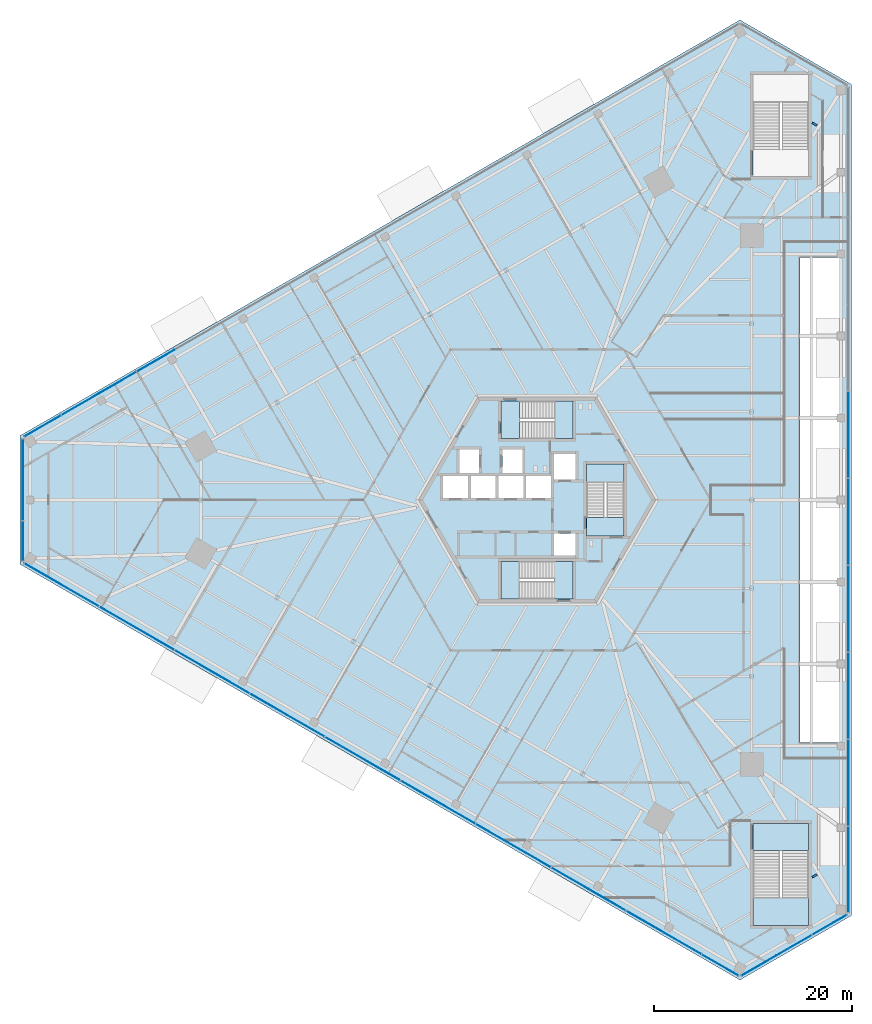
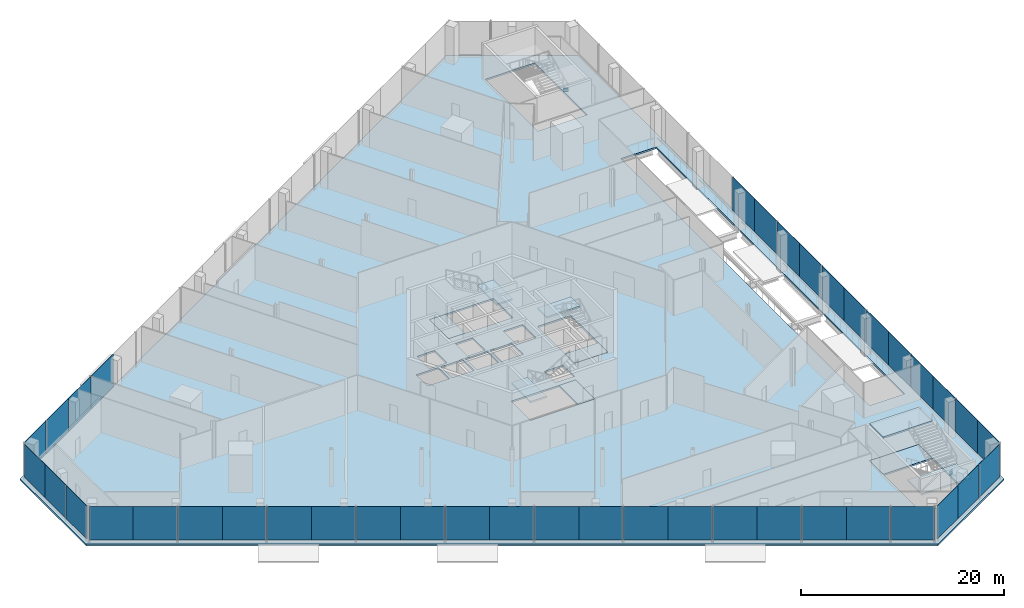
# One storey, part 16 of 27: 41 plates, 10 slabs, 2 beams, 9 elements without a shape of their own.
"""IFC4 building model written with IfcOpenShell, lengths in metres."""

from ifc_helpers import new_model, si_unit, direction, frame, origin, origin_2d, place, context, subcontext, project, spatial, polyline, rectangle, i_section, outline, extrude, source, transform, mapped, material, layer, layer_set, material_profile, profile_set, type_object, element, aggregate, save


model = new_model("IFC4")

# Units and contexts
model_context = context("Model", 3, precision=1e-05, world=origin(), true_north=direction((0.0, 1.0)))
body_context = subcontext(model_context, "Body", "Model", "MODEL_VIEW")
ifc_project = project(units=[si_unit("LENGTHUNIT", "METRE"), si_unit("AREAUNIT", "SQUARE_METRE"), si_unit("VOLUMEUNIT", "CUBIC_METRE"), si_unit("PLANEANGLEUNIT", "RADIAN"), si_unit("MASSUNIT", "GRAM", prefix="KILO")], contexts=[model_context])

# Site, building, storey
site_placement = place(None, origin())
site = spatial("IfcSite", under=ifc_project, at=site_placement, CompositionType="ELEMENT")
building_placement = place(site_placement, origin())
building = spatial("IfcBuilding", under=site, at=building_placement, Name="Triune Harvest Tower", CompositionType="ELEMENT")
storey_placement = place(building_placement, frame((0.0, 0.0, 7.0)))
storey = spatial("IfcBuildingStorey", under=building, at=storey_placement, Name="L01", CompositionType="ELEMENT", Elevation=7.0)

# Beams
ifc_material_1 = material(Name="Steel ASTM A992 Gr 50", Category="steel")
ifc_material_profile = material_profile(ifc_material_1, i_section(OverallWidth=0.180908203125, OverallDepth=0.41650390625, WebThickness=0.010986328125, FlangeThickness=0.01806640625, at=origin_2d()), Name="W16x57")
ifc_profile_set = profile_set([ifc_material_profile], Name="Steel ASTM A992 Gr 50")
beam_type = type_object("IfcBeamType", Name="PD-6 Podium short joist W16x57", PredefinedType="JOIST", material=ifc_profile_set)
shared_shape_1 = source(origin(), body_context, "Body", "SweptSolid", [
    extrude(i_section(OverallWidth=0.180908203125, OverallDepth=0.41650390625, WebThickness=0.010986328125, FlangeThickness=0.01806640625, at=origin_2d()), origin(), (0.0, 0.0, 1.0), 0.55908203125),
])
for number, where, z_axis, x_axis, name in (
    (1, (28.291015625, 37.827880859375, -0.408203125), (-0.866003766563, 0.500037474894, 0.0), (-0.500037474894, -0.866003766563, 0.0), "beam/L01/PJ23"),
    (2, (27.806884765625, -38.107421875, -0.408203125), (0.866003766563, 0.500037474894, 0.0), (-0.500037474894, 0.866003766563, 0.0), "beam/L01/PJ81"),
):
    element("IfcBeam", number, at=place(storey_placement, frame(where, z_axis=z_axis, x_axis=x_axis)), inside=storey, type_object=beam_type, Name=name, PredefinedType="JOIST", context=body_context, shape_type="MappedRepresentation", body=[
        mapped(shared_shape_1, transform((0.0, 0.0, 0.0), scale=1.0)),
    ])

# Slab
ifc_material_2 = material(Name="Concrete 40 MPa", Category="concrete")
ifc_layer_1 = layer(ifc_material_2, 0.199951171875)
ifc_layer_set_1 = layer_set([ifc_layer_1], Name="Concrete 40 MPa")
slab_type_1 = type_object("IfcSlabType", Name="SL-3 Composite floor slab 200", PredefinedType="FLOOR", material=ifc_layer_set_1)
shared_shape_2 = source(origin(), body_context, "Body", "SweptSolid", [
    extrude(outline(polyline([(31.75439453125, -42.0), (31.75439453125, 42.0), (20.495849609375, 48.5), (-52.250244140625, 6.5), (-52.250244140625, -6.5), (20.495849609375, -48.5), (31.75439453125, -42.0)]), holes=[polyline([(-7.0, 0.2099609375), (-7.0, 2.409912109375), (-9.5, 2.409912109375), (-9.5, 0.2099609375), (-7.0, 0.2099609375)]), polyline([(-4.199951171875, 0.2099609375), (-4.199951171875, 2.409912109375), (-6.699951171875, 2.409912109375), (-6.699951171875, 0.2099609375), (-4.199951171875, 0.2099609375)]), polyline([(-1.39990234375, 0.2099609375), (-1.39990234375, 2.409912109375), (-3.89990234375, 2.409912109375), (-3.89990234375, 0.2099609375), (-1.39990234375, 0.2099609375)]), polyline([(1.39990234375, 0.2099609375), (1.39990234375, 2.409912109375), (-1.10009765625, 2.409912109375), (-1.10009765625, 0.2099609375), (1.39990234375, 0.2099609375)]), polyline([(3.89990234375, 2.06005859375), (3.89990234375, 4.659912109375), (1.699951171875, 4.659912109375), (1.699951171875, 2.06005859375), (3.89990234375, 2.06005859375)]), polyline([(3.89990234375, -5.590087890625), (3.89990234375, -3.389892578125), (1.699951171875, -3.389892578125), (1.699951171875, -5.590087890625), (3.89990234375, -5.590087890625)]), polyline([(-5.85009765625, 2.7099609375), (-5.85009765625, 5.110107421875), (-7.85009765625, 5.110107421875), (-7.85009765625, 2.7099609375), (-5.85009765625, 2.7099609375)]), polyline([(-1.5, 2.7099609375), (-1.5, 5.110107421875), (-3.5, 5.110107421875), (-3.5, 2.7099609375), (-1.5, 2.7099609375)]), polyline([(3.64990234375, 6.18994140625), (3.64990234375, 9.989990234375), (-3.64990234375, 9.989990234375), (-3.64990234375, 6.18994140625), (3.64990234375, 6.18994140625)]), polyline([(3.64990234375, -9.989990234375), (3.64990234375, -6.18994140625), (-3.64990234375, -6.18994140625), (-3.64990234375, -9.989990234375), (3.64990234375, -9.989990234375)]), polyline([(8.800048828125, -3.64990234375), (8.800048828125, 3.64990234375), (5.0, 3.64990234375), (5.0, -3.64990234375), (8.800048828125, -3.64990234375)]), polyline([(27.419921875, 32.699951171875), (27.419921875, 43.0), (21.820068359375, 43.0), (21.820068359375, 32.699951171875), (27.419921875, 32.699951171875)]), polyline([(27.419921875, -43.0), (27.419921875, -32.699951171875), (21.820068359375, -32.699951171875), (21.820068359375, -43.0), (27.419921875, -43.0)]), polyline([(26.55419921875, -24.5), (30.55419921875, -24.5), (30.55419921875, 24.5), (26.55419921875, 24.5), (26.55419921875, -24.5)])]), origin(), (0.0, 0.0, 1.0), 0.199951171875),
])
slab_1_placement = place(storey_placement, frame((0.0, 0.0, -0.199951171875)))
element("IfcSlab", 3, at=slab_1_placement, inside=storey, type_object=slab_type_1, Name="slab/L01/1", PredefinedType="FLOOR", context=body_context, shape_type="MappedRepresentation", body=[
    mapped(shared_shape_2, transform((0.0, 0.0, 0.0), scale=1.0)),
])

# Stair, slabs
ifc_material_3 = material(Name="Concrete 40 MPa", Category="concrete")
stair_type_1 = type_object("IfcStairType", Name="Exit stair 1800 half turn", PredefinedType="HALF_TURN_STAIR", material=ifc_material_3)
stair_1_placement = place(storey_placement, origin())
stair_1 = element("IfcStair", 4, at=stair_1_placement, inside=storey, type_object=stair_type_1, Name="Exit stair north", PredefinedType="HALF_TURN_STAIR")
ifc_material_4 = material(Name="Concrete 40 MPa", Category="concrete")
ifc_layer_2 = layer(ifc_material_4, 0.199951171875)
ifc_layer_set_2 = layer_set([ifc_layer_2], Name="Concrete 40 MPa")
slab_type_2 = type_object("IfcSlabType", Name="Stair landing 200", PredefinedType="LANDING", material=ifc_layer_set_2)
shared_shape_3 = source(origin(), body_context, "Body", "SweptSolid", [
    extrude(outline(polyline([(-3.64990234375, 6.18994140625), (-1.780029296875, 6.18994140625), (-1.780029296875, 9.989990234375), (-3.64990234375, 9.989990234375), (-3.64990234375, 6.18994140625)])), origin(), (0.0, 0.0, 1.0), 0.199951171875),
])
slab_2_placement = place(storey_placement, frame((0.0, 0.0, -0.199951171875)))
slab_2 = element("IfcSlab", 5, at=slab_2_placement, type_object=slab_type_2, Name="ST-1 landing 1", PredefinedType="LANDING", context=body_context, shape_type="MappedRepresentation", body=[
    mapped(shared_shape_3, transform((0.0, 0.0, 0.0), scale=1.0)),
])
shared_shape_4 = source(origin(), body_context, "Body", "SweptSolid", [
    extrude(outline(polyline([(1.81005859375, 6.18994140625), (3.64990234375, 6.18994140625), (3.64990234375, 9.989990234375), (1.81005859375, 9.989990234375), (1.81005859375, 6.18994140625)])), origin(), (0.0, 0.0, 1.0), 0.199951171875),
])
slab_3_placement = place(storey_placement, frame((0.0, 0.0, 2.050048828125)))
slab_3 = element("IfcSlab", 6, at=slab_3_placement, type_object=slab_type_2, Name="ST-1 landing 2", PredefinedType="LANDING", context=body_context, shape_type="MappedRepresentation", body=[
    mapped(shared_shape_4, transform((0.0, 0.0, 0.0), scale=1.0)),
])
aggregate(stair_1, [slab_2, slab_3])

stair_2_placement = place(storey_placement, origin())
stair_2 = element("IfcStair", 7, at=stair_2_placement, inside=storey, type_object=stair_type_1, Name="Exit stair south", PredefinedType="HALF_TURN_STAIR")
shared_shape_5 = source(origin(), body_context, "Body", "SweptSolid", [
    extrude(outline(polyline([(3.64990234375, -6.18994140625), (1.780029296875, -6.18994140625), (1.780029296875, -9.989990234375), (3.64990234375, -9.989990234375), (3.64990234375, -6.18994140625)])), origin(), (0.0, 0.0, 1.0), 0.199951171875),
])
slab_4_placement = place(storey_placement, frame((0.0, 0.0, -0.199951171875)))
slab_4 = element("IfcSlab", 8, at=slab_4_placement, type_object=slab_type_2, Name="ST-2 landing 1", PredefinedType="LANDING", context=body_context, shape_type="MappedRepresentation", body=[
    mapped(shared_shape_5, transform((0.0, 0.0, 0.0), scale=1.0)),
])
shared_shape_6 = source(origin(), body_context, "Body", "SweptSolid", [
    extrude(outline(polyline([(-1.81005859375, -6.18994140625), (-3.64990234375, -6.18994140625), (-3.64990234375, -9.989990234375), (-1.81005859375, -9.989990234375), (-1.81005859375, -6.18994140625)])), origin(), (0.0, 0.0, 1.0), 0.199951171875),
])
slab_5_placement = place(storey_placement, frame((0.0, 0.0, 2.050048828125)))
slab_5 = element("IfcSlab", 9, at=slab_5_placement, type_object=slab_type_2, Name="ST-2 landing 2", PredefinedType="LANDING", context=body_context, shape_type="MappedRepresentation", body=[
    mapped(shared_shape_6, transform((0.0, 0.0, 0.0), scale=1.0)),
])
aggregate(stair_2, [slab_4, slab_5])

stair_3_placement = place(storey_placement, origin())
stair_3 = element("IfcStair", 10, at=stair_3_placement, inside=storey, type_object=stair_type_1, Name="Exit stair east", PredefinedType="HALF_TURN_STAIR")
shared_shape_7 = source(origin(), body_context, "Body", "SweptSolid", [
    extrude(outline(polyline([(8.800048828125, -3.64990234375), (8.800048828125, -1.780029296875), (5.0, -1.780029296875), (5.0, -3.64990234375), (8.800048828125, -3.64990234375)])), origin(), (0.0, 0.0, 1.0), 0.199951171875),
])
slab_6_placement = place(storey_placement, frame((0.0, 0.0, -0.199951171875)))
slab_6 = element("IfcSlab", 11, at=slab_6_placement, type_object=slab_type_2, Name="ST-3 landing 1", PredefinedType="LANDING", context=body_context, shape_type="MappedRepresentation", body=[
    mapped(shared_shape_7, transform((0.0, 0.0, 0.0), scale=1.0)),
])
shared_shape_8 = source(origin(), body_context, "Body", "SweptSolid", [
    extrude(outline(polyline([(8.800048828125, 1.81005859375), (8.800048828125, 3.64990234375), (5.0, 3.64990234375), (5.0, 1.81005859375), (8.800048828125, 1.81005859375)])), origin(), (0.0, 0.0, 1.0), 0.199951171875),
])
slab_7_placement = place(storey_placement, frame((0.0, 0.0, 2.050048828125)))
slab_7 = element("IfcSlab", 12, at=slab_7_placement, type_object=slab_type_2, Name="ST-3 landing 2", PredefinedType="LANDING", context=body_context, shape_type="MappedRepresentation", body=[
    mapped(shared_shape_8, transform((0.0, 0.0, 0.0), scale=1.0)),
])
aggregate(stair_3, [slab_6, slab_7])

ifc_material_5 = material(Name="Concrete 40 MPa", Category="concrete")
stair_type_2 = type_object("IfcStairType", Name="Podium exit stair 2700 half turn", PredefinedType="HALF_TURN_STAIR", material=ifc_material_5)
stair_4_placement = place(storey_placement, origin())
stair_4 = element("IfcStair", 13, at=stair_4_placement, inside=storey, type_object=stair_type_2, Name="Podium exit stair south", PredefinedType="HALF_TURN_STAIR")
shared_shape_9 = source(origin(), body_context, "Body", "SweptSolid", [
    extrude(outline(polyline([(21.820068359375, -40.199951171875), (21.820068359375, -43.0), (27.419921875, -43.0), (27.419921875, -40.199951171875), (21.820068359375, -40.199951171875)])), origin(), (0.0, 0.0, 1.0), 0.199951171875),
])
slab_8_placement = place(storey_placement, frame((0.0, 0.0, 2.050048828125)))
slab_8 = element("IfcSlab", 14, at=slab_8_placement, type_object=slab_type_2, Name="PS-2 landing 2", PredefinedType="LANDING", context=body_context, shape_type="MappedRepresentation", body=[
    mapped(shared_shape_9, transform((0.0, 0.0, 0.0), scale=1.0)),
])
shared_shape_10 = source(origin(), body_context, "Body", "SweptSolid", [
    extrude(outline(polyline([(21.820068359375, -32.699951171875), (21.820068359375, -35.409912109375), (27.419921875, -35.409912109375), (27.419921875, -32.699951171875), (21.820068359375, -32.699951171875)])), origin(), (0.0, 0.0, 1.0), 0.199951171875),
])
slab_9_placement = place(storey_placement, frame((0.0, 0.0, -0.199951171875)))
slab_9 = element("IfcSlab", 15, at=slab_9_placement, type_object=slab_type_2, Name="PS-2 landing 1", PredefinedType="LANDING", context=body_context, shape_type="MappedRepresentation", body=[
    mapped(shared_shape_10, transform((0.0, 0.0, 0.0), scale=1.0)),
])
slab_10_placement = place(storey_placement, frame((0.0, 0.0, 4.300048828125)))
slab_10 = element("IfcSlab", 16, at=slab_10_placement, type_object=slab_type_2, Name="PS-2 landing 3", PredefinedType="LANDING", context=body_context, shape_type="MappedRepresentation", body=[
    mapped(shared_shape_10, transform((0.0, 0.0, 0.0), scale=1.0)),
])
aggregate(stair_4, [slab_9, slab_8, slab_10])

# Curtain wall, plate
ifc_material_6 = material(Name="Aluminium bronze anodised", Category="aluminium")
curtain_wall_type = type_object("IfcCurtainWallType", Name="CW-2 Podium shopfront wall", PredefinedType="NOTDEFINED", material=ifc_material_6)
curtain_wall_1_placement = place(storey_placement, origin())
curtain_wall_1 = element("IfcCurtainWall", 17, at=curtain_wall_1_placement, inside=storey, type_object=curtain_wall_type, Name="CW-2 PD-F1 L01 run 1")
ifc_material_7 = material(Name="Glass", Category="glass")
ifc_layer_3 = layer(ifc_material_7, 0.0400390625)
ifc_layer_set_3 = layer_set([ifc_layer_3], Name="Glass")
plate_type = type_object("IfcPlateType", Name="GL-2 panel 40", PredefinedType="CURTAIN_PANEL", material=ifc_layer_set_3)
shared_shape_11 = source(origin(), body_context, "Body", "SweptSolid", [
    extrude(rectangle(XDim=4.303466796875, YDim=0.0400390625, at=origin_2d()), origin(), (0.0, 0.0, 1.0), 4.0),
])
plate_1_placement = place(storey_placement, frame((31.454345703125, -39.4951171875, 0.300048828125), z_axis=(0.0, 0.0, 1.0), x_axis=(0.0, 1.0, 0.0)))
plate_1 = element("IfcPlate", 18, at=plate_1_placement, type_object=plate_type, Name="CW-2 panel PD-F1 1.1", PredefinedType="CURTAIN_PANEL", context=body_context, shape_type="MappedRepresentation", body=[
    mapped(shared_shape_11, transform((0.0, 0.0, 0.0), scale=1.0)),
])

curtain_wall_2_placement = place(storey_placement, origin())
curtain_wall_2 = element("IfcCurtainWall", 19, at=curtain_wall_2_placement, inside=storey, type_object=curtain_wall_type, Name="CW-2 PD-F5 L01 run 1")
plate_2_placement = place(storey_placement, frame((-49.930908203125, -7.49267578125, 0.300048828125), z_axis=(0.0, 0.0, 1.0), x_axis=(0.866025276122, -0.500000221117, 0.0)))
plate_2 = element("IfcPlate", 20, at=plate_2_placement, type_object=plate_type, Name="CW-2 panel PD-F5 1.1", PredefinedType="CURTAIN_PANEL", context=body_context, shape_type="MappedRepresentation", body=[
    mapped(shared_shape_11, transform((0.0, 0.0, 0.0), scale=1.0)),
])

# Plate
shared_shape_12 = source(origin(), body_context, "Body", "SweptSolid", [
    extrude(rectangle(XDim=4.348388671875, YDim=0.0400390625, at=origin_2d()), origin(), (0.0, 0.0, 1.0), 4.0),
])
plate_3_placement = place(storey_placement, frame((31.454345703125, -35.169189453125, 0.300048828125), z_axis=(0.0, 0.0, 1.0), x_axis=(0.0, 1.0, 0.0)))
plate_3 = element("IfcPlate", 21, at=plate_3_placement, type_object=plate_type, Name="CW-2 panel PD-F1 1.2", PredefinedType="CURTAIN_PANEL", context=body_context, shape_type="MappedRepresentation", body=[
    mapped(shared_shape_12, transform((0.0, 0.0, 0.0), scale=1.0)),
])

plate_4_placement = place(storey_placement, frame((31.454345703125, -30.73095703125, 0.300048828125), z_axis=(0.0, 0.0, 1.0), x_axis=(0.0, 1.0, 0.0)))
plate_4 = element("IfcPlate", 22, at=plate_4_placement, type_object=plate_type, Name="CW-2 panel PD-F1 1.3", PredefinedType="CURTAIN_PANEL", context=body_context, shape_type="MappedRepresentation", body=[
    mapped(shared_shape_12, transform((0.0, 0.0, 0.0), scale=1.0)),
])

plate_5_placement = place(storey_placement, frame((31.454345703125, -26.382568359375, 0.300048828125), z_axis=(0.0, 0.0, 1.0), x_axis=(0.0, 1.0, 0.0)))
plate_5 = element("IfcPlate", 23, at=plate_5_placement, type_object=plate_type, Name="CW-2 panel PD-F1 1.4", PredefinedType="CURTAIN_PANEL", context=body_context, shape_type="MappedRepresentation", body=[
    mapped(shared_shape_12, transform((0.0, 0.0, 0.0), scale=1.0)),
])

plate_6_placement = place(storey_placement, frame((31.454345703125, -21.9443359375, 0.300048828125), z_axis=(0.0, 0.0, 1.0), x_axis=(0.0, 1.0, 0.0)))
plate_6 = element("IfcPlate", 24, at=plate_6_placement, type_object=plate_type, Name="CW-2 panel PD-F1 1.5", PredefinedType="CURTAIN_PANEL", context=body_context, shape_type="MappedRepresentation", body=[
    mapped(shared_shape_12, transform((0.0, 0.0, 0.0), scale=1.0)),
])

plate_7_placement = place(storey_placement, frame((31.454345703125, -17.595947265625, 0.300048828125), z_axis=(0.0, 0.0, 1.0), x_axis=(0.0, 1.0, 0.0)))
plate_7 = element("IfcPlate", 25, at=plate_7_placement, type_object=plate_type, Name="CW-2 panel PD-F1 1.6", PredefinedType="CURTAIN_PANEL", context=body_context, shape_type="MappedRepresentation", body=[
    mapped(shared_shape_12, transform((0.0, 0.0, 0.0), scale=1.0)),
])

plate_8_placement = place(storey_placement, frame((31.454345703125, -13.157470703125, 0.300048828125), z_axis=(0.0, 0.0, 1.0), x_axis=(0.0, 1.0, 0.0)))
plate_8 = element("IfcPlate", 26, at=plate_8_placement, type_object=plate_type, Name="CW-2 panel PD-F1 1.7", PredefinedType="CURTAIN_PANEL", context=body_context, shape_type="MappedRepresentation", body=[
    mapped(shared_shape_12, transform((0.0, 0.0, 0.0), scale=1.0)),
])

plate_9_placement = place(storey_placement, frame((31.454345703125, -8.80908203125, 0.300048828125), z_axis=(0.0, 0.0, 1.0), x_axis=(0.0, 1.0, 0.0)))
plate_9 = element("IfcPlate", 27, at=plate_9_placement, type_object=plate_type, Name="CW-2 panel PD-F1 1.8", PredefinedType="CURTAIN_PANEL", context=body_context, shape_type="MappedRepresentation", body=[
    mapped(shared_shape_12, transform((0.0, 0.0, 0.0), scale=1.0)),
])

plate_10_placement = place(storey_placement, frame((31.454345703125, -4.370849609375, 0.300048828125), z_axis=(0.0, 0.0, 1.0), x_axis=(0.0, 1.0, 0.0)))
plate_10 = element("IfcPlate", 28, at=plate_10_placement, type_object=plate_type, Name="CW-2 panel PD-F1 1.9", PredefinedType="CURTAIN_PANEL", context=body_context, shape_type="MappedRepresentation", body=[
    mapped(shared_shape_12, transform((0.0, 0.0, 0.0), scale=1.0)),
])

plate_11_placement = place(storey_placement, frame((31.454345703125, -0.0224609375, 0.300048828125), z_axis=(0.0, 0.0, 1.0), x_axis=(0.0, 1.0, 0.0)))
plate_11 = element("IfcPlate", 29, at=plate_11_placement, type_object=plate_type, Name="CW-2 panel PD-F1 1.10", PredefinedType="CURTAIN_PANEL", context=body_context, shape_type="MappedRepresentation", body=[
    mapped(shared_shape_12, transform((0.0, 0.0, 0.0), scale=1.0)),
])

plate_12_placement = place(storey_placement, frame((31.454345703125, 4.415771484375, 0.300048828125), z_axis=(0.0, 0.0, 1.0), x_axis=(0.0, 1.0, 0.0)))
plate_12 = element("IfcPlate", 30, at=plate_12_placement, type_object=plate_type, Name="CW-2 panel PD-F1 1.11", PredefinedType="CURTAIN_PANEL", context=body_context, shape_type="MappedRepresentation", body=[
    mapped(shared_shape_12, transform((0.0, 0.0, 0.0), scale=1.0)),
])

plate_13_placement = place(storey_placement, frame((31.454345703125, 8.76416015625, 0.300048828125), z_axis=(0.0, 0.0, 1.0), x_axis=(0.0, 1.0, 0.0)))
plate_13 = element("IfcPlate", 31, at=plate_13_placement, type_object=plate_type, Name="CW-2 panel PD-F1 1.12", PredefinedType="CURTAIN_PANEL", context=body_context, shape_type="MappedRepresentation", body=[
    mapped(shared_shape_12, transform((0.0, 0.0, 0.0), scale=1.0)),
])

aggregate(curtain_wall_1, [plate_1, plate_3, plate_4, plate_5, plate_6, plate_7, plate_8, plate_9, plate_10, plate_11, plate_12, plate_13])

# Curtain wall, plates
curtain_wall_3_placement = place(storey_placement, origin())
curtain_wall_3 = element("IfcCurtainWall", 32, at=curtain_wall_3_placement, inside=storey, type_object=curtain_wall_type, Name="CW-2 PD-F3 L01 run 1")
plate_14_placement = place(storey_placement, frame((-38.5361328125, 14.0712890625, 0.300048828125), z_axis=(0.0, 0.0, 1.0), x_axis=(-0.866025276122, -0.500000221117, 0.0)))
plate_14 = element("IfcPlate", 33, at=plate_14_placement, type_object=plate_type, Name="CW-2 panel PD-F3 1.16", PredefinedType="CURTAIN_PANEL", context=body_context, shape_type="MappedRepresentation", body=[
    mapped(shared_shape_12, transform((0.0, 0.0, 0.0), scale=1.0)),
])
plate_15_placement = place(storey_placement, frame((-42.3798828125, 11.852294921875, 0.300048828125), z_axis=(0.0, 0.0, 1.0), x_axis=(-0.866025276122, -0.500000221117, 0.0)))
plate_15 = element("IfcPlate", 34, at=plate_15_placement, type_object=plate_type, Name="CW-2 panel PD-F3 1.17", PredefinedType="CURTAIN_PANEL", context=body_context, shape_type="MappedRepresentation", body=[
    mapped(shared_shape_12, transform((0.0, 0.0, 0.0), scale=1.0)),
])
plate_16_placement = place(storey_placement, frame((-46.145751953125, 9.677978515625, 0.300048828125), z_axis=(0.0, 0.0, 1.0), x_axis=(-0.866025276122, -0.500000221117, 0.0)))
plate_16 = element("IfcPlate", 35, at=plate_16_placement, type_object=plate_type, Name="CW-2 panel PD-F3 1.18", PredefinedType="CURTAIN_PANEL", context=body_context, shape_type="MappedRepresentation", body=[
    mapped(shared_shape_12, transform((0.0, 0.0, 0.0), scale=1.0)),
])

# Plate
plate_17_placement = place(storey_placement, frame((-46.1845703125, -9.655517578125, 0.300048828125), z_axis=(0.0, 0.0, 1.0), x_axis=(0.866025276122, -0.500000221117, 0.0)))
plate_17 = element("IfcPlate", 36, at=plate_17_placement, type_object=plate_type, Name="CW-2 panel PD-F5 1.2", PredefinedType="CURTAIN_PANEL", context=body_context, shape_type="MappedRepresentation", body=[
    mapped(shared_shape_12, transform((0.0, 0.0, 0.0), scale=1.0)),
])

plate_18_placement = place(storey_placement, frame((-42.3408203125, -11.874755859375, 0.300048828125), z_axis=(0.0, 0.0, 1.0), x_axis=(0.866025276122, -0.500000221117, 0.0)))
plate_18 = element("IfcPlate", 37, at=plate_18_placement, type_object=plate_type, Name="CW-2 panel PD-F5 1.3", PredefinedType="CURTAIN_PANEL", context=body_context, shape_type="MappedRepresentation", body=[
    mapped(shared_shape_12, transform((0.0, 0.0, 0.0), scale=1.0)),
])

plate_19_placement = place(storey_placement, frame((-38.5751953125, -14.048828125, 0.300048828125), z_axis=(0.0, 0.0, 1.0), x_axis=(0.866025276122, -0.500000221117, 0.0)))
plate_19 = element("IfcPlate", 38, at=plate_19_placement, type_object=plate_type, Name="CW-2 panel PD-F5 1.4", PredefinedType="CURTAIN_PANEL", context=body_context, shape_type="MappedRepresentation", body=[
    mapped(shared_shape_12, transform((0.0, 0.0, 0.0), scale=1.0)),
])

plate_20_placement = place(storey_placement, frame((-34.7314453125, -16.26806640625, 0.300048828125), z_axis=(0.0, 0.0, 1.0), x_axis=(0.866025276122, -0.500000221117, 0.0)))
plate_20 = element("IfcPlate", 39, at=plate_20_placement, type_object=plate_type, Name="CW-2 panel PD-F5 1.5", PredefinedType="CURTAIN_PANEL", context=body_context, shape_type="MappedRepresentation", body=[
    mapped(shared_shape_12, transform((0.0, 0.0, 0.0), scale=1.0)),
])

plate_21_placement = place(storey_placement, frame((-30.965576171875, -18.442138671875, 0.300048828125), z_axis=(0.0, 0.0, 1.0), x_axis=(0.866025276122, -0.500000221117, 0.0)))
plate_21 = element("IfcPlate", 40, at=plate_21_placement, type_object=plate_type, Name="CW-2 panel PD-F5 1.6", PredefinedType="CURTAIN_PANEL", context=body_context, shape_type="MappedRepresentation", body=[
    mapped(shared_shape_12, transform((0.0, 0.0, 0.0), scale=1.0)),
])

plate_22_placement = place(storey_placement, frame((-27.121826171875, -20.661376953125, 0.300048828125), z_axis=(0.0, 0.0, 1.0), x_axis=(0.866025276122, -0.500000221117, 0.0)))
plate_22 = element("IfcPlate", 41, at=plate_22_placement, type_object=plate_type, Name="CW-2 panel PD-F5 1.7", PredefinedType="CURTAIN_PANEL", context=body_context, shape_type="MappedRepresentation", body=[
    mapped(shared_shape_12, transform((0.0, 0.0, 0.0), scale=1.0)),
])

plate_23_placement = place(storey_placement, frame((-23.356201171875, -22.835693359375, 0.300048828125), z_axis=(0.0, 0.0, 1.0), x_axis=(0.866025276122, -0.500000221117, 0.0)))
plate_23 = element("IfcPlate", 42, at=plate_23_placement, type_object=plate_type, Name="CW-2 panel PD-F5 1.8", PredefinedType="CURTAIN_PANEL", context=body_context, shape_type="MappedRepresentation", body=[
    mapped(shared_shape_12, transform((0.0, 0.0, 0.0), scale=1.0)),
])

plate_24_placement = place(storey_placement, frame((-19.512451171875, -25.0546875, 0.300048828125), z_axis=(0.0, 0.0, 1.0), x_axis=(0.866025276122, -0.500000221117, 0.0)))
plate_24 = element("IfcPlate", 43, at=plate_24_placement, type_object=plate_type, Name="CW-2 panel PD-F5 1.9", PredefinedType="CURTAIN_PANEL", context=body_context, shape_type="MappedRepresentation", body=[
    mapped(shared_shape_12, transform((0.0, 0.0, 0.0), scale=1.0)),
])

plate_25_placement = place(storey_placement, frame((-15.74658203125, -27.22900390625, 0.300048828125), z_axis=(0.0, 0.0, 1.0), x_axis=(0.866025276122, -0.500000221117, 0.0)))
plate_25 = element("IfcPlate", 44, at=plate_25_placement, type_object=plate_type, Name="CW-2 panel PD-F5 1.10", PredefinedType="CURTAIN_PANEL", context=body_context, shape_type="MappedRepresentation", body=[
    mapped(shared_shape_12, transform((0.0, 0.0, 0.0), scale=1.0)),
])

plate_26_placement = place(storey_placement, frame((-11.90283203125, -29.4482421875, 0.300048828125), z_axis=(0.0, 0.0, 1.0), x_axis=(0.866025276122, -0.500000221117, 0.0)))
plate_26 = element("IfcPlate", 45, at=plate_26_placement, type_object=plate_type, Name="CW-2 panel PD-F5 1.11", PredefinedType="CURTAIN_PANEL", context=body_context, shape_type="MappedRepresentation", body=[
    mapped(shared_shape_12, transform((0.0, 0.0, 0.0), scale=1.0)),
])

plate_27_placement = place(storey_placement, frame((-8.13720703125, -31.622314453125, 0.300048828125), z_axis=(0.0, 0.0, 1.0), x_axis=(0.866025276122, -0.500000221117, 0.0)))
plate_27 = element("IfcPlate", 46, at=plate_27_placement, type_object=plate_type, Name="CW-2 panel PD-F5 1.12", PredefinedType="CURTAIN_PANEL", context=body_context, shape_type="MappedRepresentation", body=[
    mapped(shared_shape_12, transform((0.0, 0.0, 0.0), scale=1.0)),
])

plate_28_placement = place(storey_placement, frame((-4.29345703125, -33.841552734375, 0.300048828125), z_axis=(0.0, 0.0, 1.0), x_axis=(0.866025276122, -0.500000221117, 0.0)))
plate_28 = element("IfcPlate", 47, at=plate_28_placement, type_object=plate_type, Name="CW-2 panel PD-F5 1.13", PredefinedType="CURTAIN_PANEL", context=body_context, shape_type="MappedRepresentation", body=[
    mapped(shared_shape_12, transform((0.0, 0.0, 0.0), scale=1.0)),
])

plate_29_placement = place(storey_placement, frame((-0.527587890625, -36.015625, 0.300048828125), z_axis=(0.0, 0.0, 1.0), x_axis=(0.866025276122, -0.500000221117, 0.0)))
plate_29 = element("IfcPlate", 48, at=plate_29_placement, type_object=plate_type, Name="CW-2 panel PD-F5 1.14", PredefinedType="CURTAIN_PANEL", context=body_context, shape_type="MappedRepresentation", body=[
    mapped(shared_shape_12, transform((0.0, 0.0, 0.0), scale=1.0)),
])

plate_30_placement = place(storey_placement, frame((3.316162109375, -38.23486328125, 0.300048828125), z_axis=(0.0, 0.0, 1.0), x_axis=(0.866025276122, -0.500000221117, 0.0)))
plate_30 = element("IfcPlate", 49, at=plate_30_placement, type_object=plate_type, Name="CW-2 panel PD-F5 1.15", PredefinedType="CURTAIN_PANEL", context=body_context, shape_type="MappedRepresentation", body=[
    mapped(shared_shape_12, transform((0.0, 0.0, 0.0), scale=1.0)),
])

plate_31_placement = place(storey_placement, frame((7.081787109375, -40.408935546875, 0.300048828125), z_axis=(0.0, 0.0, 1.0), x_axis=(0.866025276122, -0.500000221117, 0.0)))
plate_31 = element("IfcPlate", 50, at=plate_31_placement, type_object=plate_type, Name="CW-2 panel PD-F5 1.16", PredefinedType="CURTAIN_PANEL", context=body_context, shape_type="MappedRepresentation", body=[
    mapped(shared_shape_12, transform((0.0, 0.0, 0.0), scale=1.0)),
])

plate_32_placement = place(storey_placement, frame((10.925537109375, -42.628173828125, 0.300048828125), z_axis=(0.0, 0.0, 1.0), x_axis=(0.866025276122, -0.500000221117, 0.0)))
plate_32 = element("IfcPlate", 51, at=plate_32_placement, type_object=plate_type, Name="CW-2 panel PD-F5 1.17", PredefinedType="CURTAIN_PANEL", context=body_context, shape_type="MappedRepresentation", body=[
    mapped(shared_shape_12, transform((0.0, 0.0, 0.0), scale=1.0)),
])

plate_33_placement = place(storey_placement, frame((14.69140625, -44.80224609375, 0.300048828125), z_axis=(0.0, 0.0, 1.0), x_axis=(0.866025276122, -0.500000221117, 0.0)))
plate_33 = element("IfcPlate", 52, at=plate_33_placement, type_object=plate_type, Name="CW-2 panel PD-F5 1.18", PredefinedType="CURTAIN_PANEL", context=body_context, shape_type="MappedRepresentation", body=[
    mapped(shared_shape_12, transform((0.0, 0.0, 0.0), scale=1.0)),
])

shared_shape_13 = source(origin(), body_context, "Body", "SweptSolid", [
    extrude(rectangle(XDim=4.25830078125, YDim=0.0400390625, at=origin_2d()), origin(), (0.0, 0.0, 1.0), 4.0),
])
plate_34_placement = place(storey_placement, frame((-49.950439453125, 7.4814453125, 0.300048828125), z_axis=(0.0, 0.0, 1.0), x_axis=(-0.866025276122, -0.500000221117, 0.0)))
plate_34 = element("IfcPlate", 53, at=plate_34_placement, type_object=plate_type, Name="CW-2 panel PD-F3 1.19", PredefinedType="CURTAIN_PANEL", context=body_context, shape_type="MappedRepresentation", body=[
    mapped(shared_shape_13, transform((0.0, 0.0, 0.0), scale=1.0)),
])

aggregate(curtain_wall_3, [plate_14, plate_15, plate_16, plate_34])

plate_35_placement = place(storey_placement, frame((18.49609375, -46.9990234375, 0.300048828125), z_axis=(0.0, 0.0, 1.0), x_axis=(0.866025276122, -0.500000221117, 0.0)))
plate_35 = element("IfcPlate", 54, at=plate_35_placement, type_object=plate_type, Name="CW-2 panel PD-F5 1.19", PredefinedType="CURTAIN_PANEL", context=body_context, shape_type="MappedRepresentation", body=[
    mapped(shared_shape_13, transform((0.0, 0.0, 0.0), scale=1.0)),
])

aggregate(curtain_wall_2, [plate_2, plate_17, plate_18, plate_19, plate_20, plate_21, plate_22, plate_23, plate_24, plate_25, plate_26, plate_27, plate_28, plate_29, plate_30, plate_31, plate_32, plate_33, plate_35])

# Curtain wall, plate
curtain_wall_4_placement = place(storey_placement, origin())
curtain_wall_4 = element("IfcCurtainWall", 55, at=curtain_wall_4_placement, inside=storey, type_object=curtain_wall_type, Name="CW-2 PD-F4 L01 run 1")
shared_shape_14 = source(origin(), body_context, "Body", "SweptSolid", [
    extrude(rectangle(XDim=4.06787109375, YDim=0.0400390625, at=origin_2d()), origin(), (0.0, 0.0, 1.0), 4.0),
])
plate_36_placement = place(storey_placement, frame((-51.9501953125, 4.11279296875, 0.300048828125), z_axis=(0.0, 0.0, 1.0), x_axis=(0.0, -1.0, 0.0)))
plate_36 = element("IfcPlate", 56, at=plate_36_placement, type_object=plate_type, Name="CW-2 panel PD-F4 1.1", PredefinedType="CURTAIN_PANEL", context=body_context, shape_type="MappedRepresentation", body=[
    mapped(shared_shape_14, transform((0.0, 0.0, 0.0), scale=1.0)),
])

curtain_wall_5_placement = place(storey_placement, origin())
curtain_wall_5 = element("IfcCurtainWall", 57, at=curtain_wall_5_placement, inside=storey, type_object=curtain_wall_type, Name="CW-2 PD-F6 L01 run 1")
plate_37_placement = place(storey_placement, frame((22.413330078125, -47.046630859375, 0.300048828125), z_axis=(0.0, 0.0, 1.0), x_axis=(0.866026607989, 0.49999791425, 0.0)))
plate_37 = element("IfcPlate", 58, at=plate_37_placement, type_object=plate_type, Name="CW-2 panel PD-F6 1.1", PredefinedType="CURTAIN_PANEL", context=body_context, shape_type="MappedRepresentation", body=[
    mapped(shared_shape_14, transform((0.0, 0.0, 0.0), scale=1.0)),
])

# Plate
shared_shape_15 = source(origin(), body_context, "Body", "SweptSolid", [
    extrude(rectangle(XDim=4.11279296875, YDim=0.0400390625, at=origin_2d()), origin(), (0.0, 0.0, 1.0), 4.0),
])
plate_38_placement = place(storey_placement, frame((-51.9501953125, 0.0224609375, 0.300048828125), z_axis=(0.0, 0.0, 1.0), x_axis=(0.0, -1.0, 0.0)))
plate_38 = element("IfcPlate", 59, at=plate_38_placement, type_object=plate_type, Name="CW-2 panel PD-F4 1.2", PredefinedType="CURTAIN_PANEL", context=body_context, shape_type="MappedRepresentation", body=[
    mapped(shared_shape_15, transform((0.0, 0.0, 0.0), scale=1.0)),
])

plate_39_placement = place(storey_placement, frame((25.95556640625, -45.00146484375, 0.300048828125), z_axis=(0.0, 0.0, 1.0), x_axis=(0.866026607989, 0.49999791425, 0.0)))
plate_39 = element("IfcPlate", 60, at=plate_39_placement, type_object=plate_type, Name="CW-2 panel PD-F6 1.2", PredefinedType="CURTAIN_PANEL", context=body_context, shape_type="MappedRepresentation", body=[
    mapped(shared_shape_15, transform((0.0, 0.0, 0.0), scale=1.0)),
])

shared_shape_16 = source(origin(), body_context, "Body", "SweptSolid", [
    extrude(rectangle(XDim=4.02294921875, YDim=0.0400390625, at=origin_2d()), origin(), (0.0, 0.0, 1.0), 4.0),
])
plate_40_placement = place(storey_placement, frame((-51.9501953125, -4.13525390625, 0.300048828125), z_axis=(0.0, 0.0, 1.0), x_axis=(0.0, -1.0, 0.0)))
plate_40 = element("IfcPlate", 61, at=plate_40_placement, type_object=plate_type, Name="CW-2 panel PD-F4 1.3", PredefinedType="CURTAIN_PANEL", context=body_context, shape_type="MappedRepresentation", body=[
    mapped(shared_shape_16, transform((0.0, 0.0, 0.0), scale=1.0)),
])

aggregate(curtain_wall_4, [plate_36, plate_38, plate_40])

plate_41_placement = place(storey_placement, frame((29.556396484375, -42.922607421875, 0.300048828125), z_axis=(0.0, 0.0, 1.0), x_axis=(0.866026607989, 0.49999791425, 0.0)))
plate_41 = element("IfcPlate", 62, at=plate_41_placement, type_object=plate_type, Name="CW-2 panel PD-F6 1.3", PredefinedType="CURTAIN_PANEL", context=body_context, shape_type="MappedRepresentation", body=[
    mapped(shared_shape_16, transform((0.0, 0.0, 0.0), scale=1.0)),
])

aggregate(curtain_wall_5, [plate_37, plate_39, plate_41])

save(model, "model.ifc")
